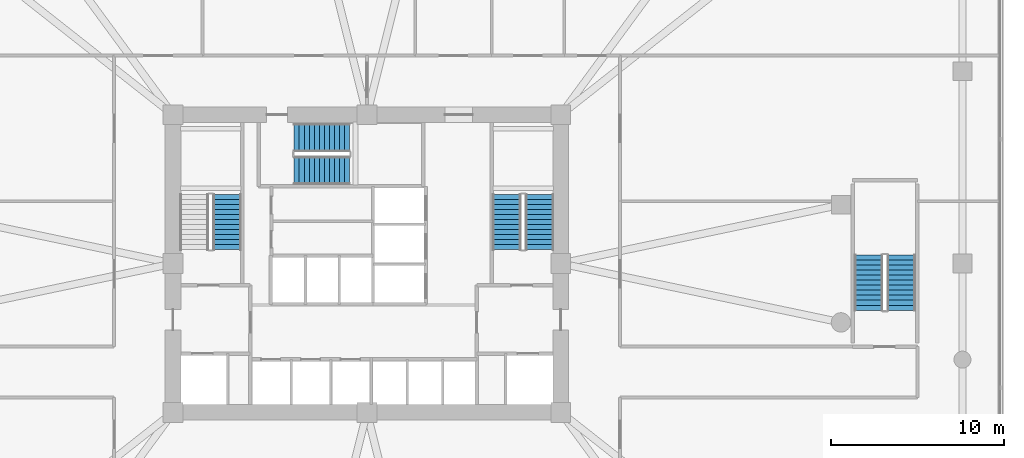
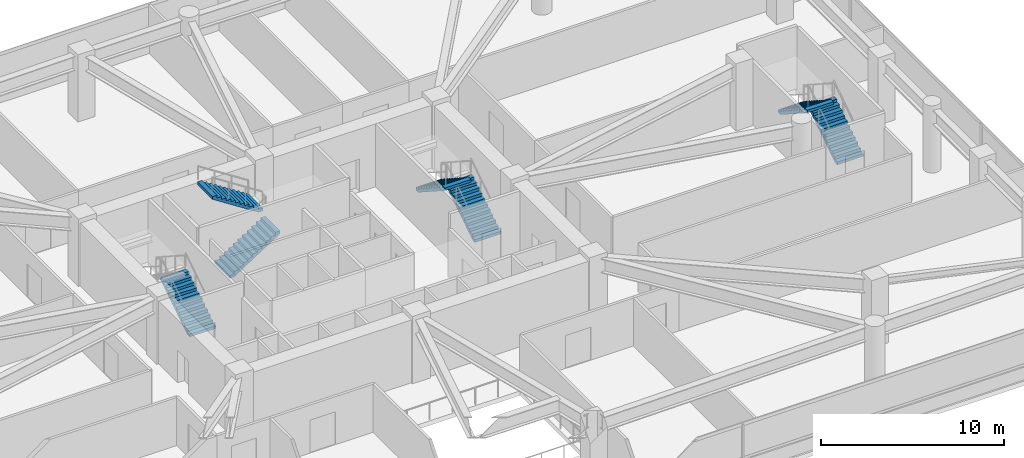
# One storey, part 19 of 21: 7 stair flights, 4 elements without a shape of their own.
"""IFC4 building model written with IfcOpenShell, lengths in metres."""

import ifcopenshell
import ifcopenshell.guid

model = None  # the IFC model being written
_history = None  # IfcOwnerHistory: only IFC2X3 demands one
_inside = {}  # id of a spatial element -> (the spatial element, [elements in it])
_under = {}  # id of a project, library or spatial element -> (it, [spatial elements below it])
_declared = {}  # id of a project -> (the project, [libraries it declares])
_typed = {}  # id of a type object -> (the type object, [elements of that type])
_made_of = {}  # id of a material, layer set ... -> (it, [elements and type objects made of it])


def new_model(schema):
    """Start an empty IFC model of exactly this schema.

    Asked for "IFC4X3", IfcOpenShell would pick the latest addendum, in which some entities
    have other attributes; the version numbers below select the first issue.
    IFC2X3 requires an IfcOwnerHistory on every rooted entity: one is made here for all.
    """
    global model, _history
    if schema == "IFC4X3":
        model = ifcopenshell.file(schema_version=(4, 3, 0, 0))
    else:
        model = ifcopenshell.file(schema=schema)
    _inside.clear()
    _under.clear()
    _declared.clear()
    _typed.clear()
    _made_of.clear()
    _history = None
    if model.schema == "IFC2X3":
        org = make("IfcOrganization", Name="unknown")
        user = make(
            "IfcPersonAndOrganization",
            ThePerson=make("IfcPerson", FamilyName="unknown"),
            TheOrganization=org,
        )
        app = make(
            "IfcApplication",
            ApplicationDeveloper=org,
            Version="unknown",
            ApplicationFullName="unknown",
            ApplicationIdentifier="unknown",
        )
        _history = make(
            "IfcOwnerHistory",
            OwningUser=user,
            OwningApplication=app,
            ChangeAction="ADDED",
            CreationDate=0,
        )
    return model


def make(cls, **values):
    """One entity of the class cls with the attributes given. An attribute that is None is left unset."""
    return model.create_entity(
        cls, **{name: value for name, value in values.items() if value is not None}
    )


def rooted(cls, **values):
    """An entity with a GlobalId (a new one), such as an element, a storey or a relation."""
    return make(cls, GlobalId=ifcopenshell.guid.new(), OwnerHistory=_history, **values)


def si_unit(unit_type, name, prefix=None):
    """IfcSIUnit, for example si_unit("LENGTHUNIT", "METRE", prefix="MILLI")."""
    return make("IfcSIUnit", UnitType=unit_type, Prefix=prefix, Name=name)


def derived_unit(unit_type, elements):
    """IfcDerivedUnit: a product of units, each with its exponent."""
    return make(
        "IfcDerivedUnit",
        Elements=[
            make("IfcDerivedUnitElement", Unit=unit, Exponent=power)
            for unit, power in elements
        ],
        UnitType=unit_type,
    )


def assignment(units):
    """IfcUnitAssignment: the units of a project."""
    return None if units is None else make("IfcUnitAssignment", Units=units)


def point(xyz):
    """IfcCartesianPoint."""
    return None if xyz is None else make("IfcCartesianPoint", Coordinates=xyz)


def direction(xyz):
    """IfcDirection."""
    return None if xyz is None else make("IfcDirection", DirectionRatios=xyz)


def frame(location, z_axis=None, x_axis=None):
    """IfcAxis2Placement3D, a coordinate frame: its origin and axes. An axis left out is left unset."""
    return make(
        "IfcAxis2Placement3D",
        Location=point(location),
        Axis=direction(z_axis),
        RefDirection=direction(x_axis),
    )


def origin():
    """The frame at (0, 0, 0) with its axes left unset."""
    return frame((0.0, 0.0, 0.0))


def place(relative_to, where):
    """IfcLocalPlacement: puts the frame where relative to a parent placement (None: the world)."""
    return make(
        "IfcLocalPlacement", PlacementRelTo=relative_to, RelativePlacement=where
    )


def context(
    kind, dimensions, precision=None, world=None, true_north=None, identifier=None
):
    """IfcGeometricRepresentationContext, for example the 3D "Model" context."""
    return make(
        "IfcGeometricRepresentationContext",
        ContextIdentifier=identifier,
        ContextType=kind,
        CoordinateSpaceDimension=dimensions,
        Precision=precision,
        WorldCoordinateSystem=world,
        TrueNorth=true_north,
    )


def subcontext(parent, identifier, kind, view, scale=None):
    """IfcGeometricRepresentationSubContext, for example "Body" below "Model"."""
    return make(
        "IfcGeometricRepresentationSubContext",
        ContextIdentifier=identifier,
        ContextType=kind,
        ParentContext=parent,
        TargetScale=scale,
        TargetView=view,
    )


def project(units=None, contexts=None):
    """IfcProject with its units and contexts."""
    return rooted(
        "IfcProject",
        Name="project",
        RepresentationContexts=contexts,
        UnitsInContext=assignment(units),
    )


def spatial(cls, under=None, at=None, **own):
    """A site, building, storey or space (cls), placed at a placement, below another one or the project."""
    s = rooted(cls, ObjectPlacement=at, **own)
    if under is not None:
        _under.setdefault(under.id(), (under, []))[1].append(s)
    return s


def polyline(points):
    """IfcPolyline through the points."""
    return make("IfcPolyline", Points=[point(p) for p in points])


def outline(outer, holes=None, kind="AREA"):
    """IfcArbitraryClosedProfileDef: a profile drawn as a closed curve; with holes, ...WithVoids."""
    if holes is None:
        return make("IfcArbitraryClosedProfileDef", ProfileType=kind, OuterCurve=outer)
    return make(
        "IfcArbitraryProfileDefWithVoids",
        ProfileType=kind,
        OuterCurve=outer,
        InnerCurves=holes,
    )


def extrude(swept, where, along, depth):
    """IfcExtrudedAreaSolid: the profile swept, set in the frame where, extruded along a direction by depth."""
    return make(
        "IfcExtrudedAreaSolid",
        SweptArea=swept,
        Position=where,
        ExtrudedDirection=direction(along),
        Depth=depth,
    )


def shape(context_of_items, identifier, shape_type, items):
    """IfcShapeRepresentation: the items that make up one representation, for example the "Body"."""
    return make(
        "IfcShapeRepresentation",
        ContextOfItems=context_of_items,
        RepresentationIdentifier=identifier,
        RepresentationType=shape_type,
        Items=items,
    )


def material(Name=None, Category=None):
    """IfcMaterial."""
    return make("IfcMaterial", Name=Name, Category=Category)


def made_of(thing, what):
    """Note that an element or type object is made of a material, layer set ...; save() writes the relation."""
    if what is not None:
        _made_of.setdefault(what.id(), (what, []))[1].append(thing)
    return thing


def type_object(cls, material=None, **own):
    """A type object (cls), such as IfcWallType, which elements share."""
    return made_of(rooted(cls, **own), material)


def element(
    cls,
    number,
    at=None,
    inside=None,
    cuts=None,
    type_object=None,
    material=None,
    context=None,
    identifier="Body",
    shape_type=None,
    held_by="IfcProductDefinitionShape",
    body=None,
    shapes=None,
    **own,
):
    """One element of the class cls, such as IfcWall. Its Tag is "e" and its number.

    at: its placement. inside: the storey or other place that contains it. cuts: it is an
    opening in that element (IfcRelVoidsElement). A single representation is given by context,
    identifier, shape_type and body (its items); several are given by shapes. held_by: the class
    of the entity that holds the representations. save() writes the other relations.
    """
    e = rooted(cls, Tag="e%d" % number, ObjectPlacement=at, **own)
    if body is not None:
        shapes = [shape(context, identifier, shape_type, body)]
    if shapes is not None:
        e.Representation = make(held_by, Representations=shapes)
    if inside is not None:
        _inside.setdefault(inside.id(), (inside, []))[1].append(e)
    if cuts is not None:
        rooted(
            "IfcRelVoidsElement", RelatingBuildingElement=cuts, RelatedOpeningElement=e
        )
    if type_object is not None:
        _typed.setdefault(type_object.id(), (type_object, []))[1].append(e)
    return made_of(e, material)


def aggregate(whole, parts):
    """IfcRelAggregates: a whole, such as a stair, and the parts it consists of."""
    return rooted("IfcRelAggregates", RelatingObject=whole, RelatedObjects=parts)


def save(model, path):
    """Write the relations noted so far, then the file.

    IfcRelAggregates (storeys below a building ...), IfcRelContainedInSpatialStructure (elements
    in a storey), IfcRelDefinesByType, IfcRelAssociatesMaterial and IfcRelDeclares: one each for
    every whole, place, type object, material and project.
    """
    for whole, parts in _under.values():
        aggregate(whole, parts)
    for where, things in _inside.values():
        rooted(
            "IfcRelContainedInSpatialStructure",
            RelatedElements=things,
            RelatingStructure=where,
        )
    for kind, things in _typed.values():
        rooted("IfcRelDefinesByType", RelatedObjects=things, RelatingType=kind)
    for what, things in _made_of.values():
        rooted("IfcRelAssociatesMaterial", RelatedObjects=things, RelatingMaterial=what)
    for by, libraries in _declared.values():
        rooted("IfcRelDeclares", RelatingContext=by, RelatedDefinitions=libraries)
    model.write(path)


model = new_model("IFC4")

# Units and contexts
model_context = context("Model", 3, precision=1e-05, world=origin(), true_north=direction((0.0, 1.0)))
body_context = subcontext(model_context, "Body", "Model", "MODEL_VIEW")
ifc_project = project(units=[si_unit("LENGTHUNIT", "METRE"), si_unit("AREAUNIT", "SQUARE_METRE"), si_unit("VOLUMEUNIT", "CUBIC_METRE"), si_unit("PLANEANGLEUNIT", "RADIAN"), si_unit("MASSUNIT", "GRAM", prefix="KILO"), derived_unit("THERMALTRANSMITTANCEUNIT", [(si_unit("POWERUNIT", "WATT"), 1), (si_unit("LENGTHUNIT", "METRE"), -2), (si_unit("THERMODYNAMICTEMPERATUREUNIT", "KELVIN"), -1)])], contexts=[model_context])

# Site, building, storey
site_placement = place(None, origin())
site = spatial("IfcSite", under=ifc_project, at=site_placement, CompositionType="ELEMENT")
building_placement = place(site_placement, origin())
building = spatial("IfcBuilding", under=site, at=building_placement, Name="Koralith Skygarden Medical Center", CompositionType="ELEMENT")
storey_placement = place(building_placement, frame((0.0, 0.0, 5.39990234375)))
storey = spatial("IfcBuildingStorey", under=building, at=storey_placement, Name="L01", CompositionType="ELEMENT", Elevation=5.39990234375)

# Stair, stair flight
ifc_material = material(Name="Concrete C45/55", Category="concrete")
stair_type = type_object("IfcStairType", Name="Core Exit Dogleg Concrete Stair", PredefinedType="HALF_TURN_STAIR", material=ifc_material)
stair_1_placement = place(storey_placement, origin())
stair_1 = element("IfcStair", 1, at=stair_1_placement, inside=storey, type_object=stair_type, Name="L01 Smokeproof Exit Stair ST1", PredefinedType="HALF_TURN_STAIR")
stair_flight_type = type_object("IfcStairFlightType", Name="Core Exit Concrete Stair Flight 1650", PredefinedType="STRAIGHT", material=ifc_material)
stair_flight_1_placement = place(storey_placement, frame((28.925048828125, 26.699951171875, 0.0), z_axis=(0.0, 0.0, 1.0), x_axis=(0.0, 1.0, 0.0)))
stair_flight_1 = element("IfcStairFlight", 2, at=stair_flight_1_placement, type_object=stair_flight_type, Name="ST1 flight 1", NumberOfRisers=12, NumberOfTreads=11, PredefinedType="STRAIGHT", RiserHeight=0.1875, TreadLength=0.29, context=body_context, shape_type="SweptSolid", body=[
    extrude(outline(polyline([(0.0, 0.0), (0.0, 0.1875), (0.2900390625, 0.1875), (0.2900390625, 0.375), (0.580078125, 0.375), (0.580078125, 0.5625), (0.8701171875, 0.5625), (0.8701171875, 0.75), (1.159912109375, 0.75), (1.159912109375, 0.9375), (1.449951171875, 0.9375), (1.449951171875, 1.125), (1.739990234375, 1.125), (1.739990234375, 1.3125), (2.030029296875, 1.3125), (2.030029296875, 1.5), (2.320068359375, 1.5), (2.320068359375, 1.6875), (2.610107421875, 1.6875), (2.610107421875, 1.875), (2.89990234375, 1.875), (2.89990234375, 2.0625), (3.18994140625, 2.0625), (3.18994140625, 2.25), (3.18994140625, 1.884033203125), (0.276123046875, 0.0), (0.0, 0.0)])), frame((0.0, 0.824951171875, 0.0), z_axis=(0.0, -1.0, 0.0), x_axis=(1.0, 0.0, 0.0)), (0.0, 0.0, 1.0), 1.64990234375),
])
aggregate(stair_1, [stair_flight_1])

# Stair, stair flights
stair_2_placement = place(storey_placement, origin())
stair_2 = element("IfcStair", 3, at=stair_2_placement, inside=storey, type_object=stair_type, Name="L01 Smokeproof Exit Stair ST2", PredefinedType="HALF_TURN_STAIR")
stair_flight_2_placement = place(storey_placement, frame((46.97509765625, 26.699951171875, 0.0), z_axis=(0.0, 0.0, 1.0), x_axis=(0.0, 1.0, 0.0)))
stair_flight_2 = element("IfcStairFlight", 4, at=stair_flight_2_placement, type_object=stair_flight_type, Name="ST2 flight 1", NumberOfRisers=12, NumberOfTreads=11, PredefinedType="STRAIGHT", RiserHeight=0.1875, TreadLength=0.29, context=body_context, shape_type="SweptSolid", body=[
    extrude(outline(polyline([(0.0, 0.0), (0.0, 0.1875), (0.2900390625, 0.1875), (0.2900390625, 0.375), (0.580078125, 0.375), (0.580078125, 0.5625), (0.8701171875, 0.5625), (0.8701171875, 0.75), (1.159912109375, 0.75), (1.159912109375, 0.9375), (1.449951171875, 0.9375), (1.449951171875, 1.125), (1.739990234375, 1.125), (1.739990234375, 1.3125), (2.030029296875, 1.3125), (2.030029296875, 1.5), (2.320068359375, 1.5), (2.320068359375, 1.6875), (2.610107421875, 1.6875), (2.610107421875, 1.875), (2.89990234375, 1.875), (2.89990234375, 2.0625), (3.18994140625, 2.0625), (3.18994140625, 2.25), (3.18994140625, 1.884033203125), (0.276123046875, 0.0), (0.0, 0.0)])), frame((0.0, 0.824951171875, 0.0), z_axis=(0.0, -1.0, 0.0), x_axis=(1.0, 0.0, 0.0)), (0.0, 0.0, 1.0), 1.64990234375),
])
stair_flight_3_placement = place(storey_placement, frame((45.074951171875, 29.889892578125, 2.25), z_axis=(0.0, 0.0, 1.0), x_axis=(0.0, -1.0, 0.0)))
stair_flight_3 = element("IfcStairFlight", 5, at=stair_flight_3_placement, type_object=stair_flight_type, Name="ST2 flight 2", NumberOfRisers=12, NumberOfTreads=11, PredefinedType="STRAIGHT", RiserHeight=0.1875, TreadLength=0.29, context=body_context, shape_type="SweptSolid", body=[
    extrude(outline(polyline([(0.0, 0.0), (0.0, 0.1875), (0.2900390625, 0.1875), (0.2900390625, 0.375), (0.580078125, 0.375), (0.580078125, 0.5625), (0.8701171875, 0.5625), (0.8701171875, 0.75), (1.159912109375, 0.75), (1.159912109375, 0.9375), (1.449951171875, 0.9375), (1.449951171875, 1.125), (1.739990234375, 1.125), (1.739990234375, 1.3125), (2.030029296875, 1.3125), (2.030029296875, 1.5), (2.320068359375, 1.5), (2.320068359375, 1.6875), (2.610107421875, 1.6875), (2.610107421875, 1.875), (2.89990234375, 1.875), (2.89990234375, 2.0625), (3.18994140625, 2.0625), (3.18994140625, 2.25), (3.18994140625, 1.884033203125), (0.276123046875, 0.0), (0.0, 0.0)])), frame((0.0, 0.824951171875, 0.0), z_axis=(0.0, -1.0, 0.0), x_axis=(1.0, 0.0, 0.0)), (0.0, 0.0, 1.0), 1.64990234375),
])
aggregate(stair_2, [stair_flight_2, stair_flight_3])

stair_3_placement = place(storey_placement, origin())
stair_3 = element("IfcStair", 6, at=stair_3_placement, inside=storey, type_object=stair_type, Name="L01 Smokeproof Exit Stair ST3", PredefinedType="HALF_TURN_STAIR")
stair_flight_4_placement = place(storey_placement, frame((32.800048828125, 31.27490234375, 0.0), z_axis=(0.0, 0.0, 1.0), x_axis=(1.0, 0.0, 0.0)))
stair_flight_4 = element("IfcStairFlight", 7, at=stair_flight_4_placement, type_object=stair_flight_type, Name="ST3 flight 1", NumberOfRisers=12, NumberOfTreads=11, PredefinedType="STRAIGHT", RiserHeight=0.1875, TreadLength=0.29, context=body_context, shape_type="SweptSolid", body=[
    extrude(outline(polyline([(0.0, 0.0), (0.0, 0.1875), (0.2900390625, 0.1875), (0.2900390625, 0.375), (0.580078125, 0.375), (0.580078125, 0.5625), (0.8701171875, 0.5625), (0.8701171875, 0.75), (1.159912109375, 0.75), (1.159912109375, 0.9375), (1.449951171875, 0.9375), (1.449951171875, 1.125), (1.739990234375, 1.125), (1.739990234375, 1.3125), (2.030029296875, 1.3125), (2.030029296875, 1.5), (2.320068359375, 1.5), (2.320068359375, 1.6875), (2.610107421875, 1.6875), (2.610107421875, 1.875), (2.89990234375, 1.875), (2.89990234375, 2.0625), (3.18994140625, 2.0625), (3.18994140625, 2.25), (3.18994140625, 1.884033203125), (0.276123046875, 0.0), (0.0, 0.0)])), frame((0.0, 0.824951171875, 0.0), z_axis=(0.0, -1.0, 0.0), x_axis=(1.0, 0.0, 0.0)), (0.0, 0.0, 1.0), 1.64990234375),
])
stair_flight_5_placement = place(storey_placement, frame((35.989990234375, 33.175048828125, 2.25), z_axis=(0.0, 0.0, 1.0), x_axis=(-1.0, 0.0, 0.0)))
stair_flight_5 = element("IfcStairFlight", 8, at=stair_flight_5_placement, type_object=stair_flight_type, Name="ST3 flight 2", NumberOfRisers=12, NumberOfTreads=11, PredefinedType="STRAIGHT", RiserHeight=0.1875, TreadLength=0.29, context=body_context, shape_type="SweptSolid", body=[
    extrude(outline(polyline([(0.0, 0.0), (0.0, 0.1875), (0.2900390625, 0.1875), (0.2900390625, 0.375), (0.580078125, 0.375), (0.580078125, 0.5625), (0.8701171875, 0.5625), (0.8701171875, 0.75), (1.159912109375, 0.75), (1.159912109375, 0.9375), (1.449951171875, 0.9375), (1.449951171875, 1.125), (1.739990234375, 1.125), (1.739990234375, 1.3125), (2.030029296875, 1.3125), (2.030029296875, 1.5), (2.320068359375, 1.5), (2.320068359375, 1.6875), (2.610107421875, 1.6875), (2.610107421875, 1.875), (2.89990234375, 1.875), (2.89990234375, 2.0625), (3.18994140625, 2.0625), (3.18994140625, 2.25), (3.18994140625, 1.884033203125), (0.276123046875, 0.0), (0.0, 0.0)])), frame((0.0, 0.824951171875, 0.0), z_axis=(0.0, -1.0, 0.0), x_axis=(1.0, 0.0, 0.0)), (0.0, 0.0, 1.0), 1.64990234375),
])
aggregate(stair_3, [stair_flight_4, stair_flight_5])

stair_4_placement = place(storey_placement, origin())
stair_4 = element("IfcStair", 9, at=stair_4_placement, inside=storey, type_object=stair_type, Name="L01 Podium Smokeproof Exit Stair ST5", PredefinedType="HALF_TURN_STAIR")
stair_flight_6_placement = place(storey_placement, frame((67.875, 23.199951171875, 0.0), z_axis=(0.0, 0.0, 1.0), x_axis=(0.0, 1.0, 0.0)))
stair_flight_6 = element("IfcStairFlight", 10, at=stair_flight_6_placement, type_object=stair_flight_type, Name="ST5 flight 1", NumberOfRisers=12, NumberOfTreads=11, PredefinedType="STRAIGHT", RiserHeight=0.1875, TreadLength=0.29, context=body_context, shape_type="SweptSolid", body=[
    extrude(outline(polyline([(0.0, 0.0), (0.0, 0.1875), (0.2900390625, 0.1875), (0.2900390625, 0.375), (0.580078125, 0.375), (0.580078125, 0.5625), (0.8701171875, 0.5625), (0.8701171875, 0.75), (1.159912109375, 0.75), (1.159912109375, 0.9375), (1.449951171875, 0.9375), (1.449951171875, 1.125), (1.739990234375, 1.125), (1.739990234375, 1.3125), (2.030029296875, 1.3125), (2.030029296875, 1.5), (2.320068359375, 1.5), (2.320068359375, 1.6875), (2.610107421875, 1.6875), (2.610107421875, 1.875), (2.89990234375, 1.875), (2.89990234375, 2.0625), (3.18994140625, 2.0625), (3.18994140625, 2.25), (3.18994140625, 1.884033203125), (0.276123046875, 0.0), (0.0, 0.0)])), frame((0.0, 0.824951171875, 0.0), z_axis=(0.0, -1.0, 0.0), x_axis=(1.0, 0.0, 0.0)), (0.0, 0.0, 1.0), 1.64990234375),
])
stair_flight_7_placement = place(storey_placement, frame((65.97509765625, 26.389892578125, 2.25), z_axis=(0.0, 0.0, 1.0), x_axis=(0.0, -1.0, 0.0)))
stair_flight_7 = element("IfcStairFlight", 11, at=stair_flight_7_placement, type_object=stair_flight_type, Name="ST5 flight 2", NumberOfRisers=12, NumberOfTreads=11, PredefinedType="STRAIGHT", RiserHeight=0.1875, TreadLength=0.29, context=body_context, shape_type="SweptSolid", body=[
    extrude(outline(polyline([(0.0, 0.0), (0.0, 0.1875), (0.2900390625, 0.1875), (0.2900390625, 0.375), (0.580078125, 0.375), (0.580078125, 0.5625), (0.8701171875, 0.5625), (0.8701171875, 0.75), (1.159912109375, 0.75), (1.159912109375, 0.9375), (1.449951171875, 0.9375), (1.449951171875, 1.125), (1.739990234375, 1.125), (1.739990234375, 1.3125), (2.030029296875, 1.3125), (2.030029296875, 1.5), (2.320068359375, 1.5), (2.320068359375, 1.6875), (2.610107421875, 1.6875), (2.610107421875, 1.875), (2.89990234375, 1.875), (2.89990234375, 2.0625), (3.18994140625, 2.0625), (3.18994140625, 2.25), (3.18994140625, 1.884033203125), (0.276123046875, 0.0), (0.0, 0.0)])), frame((0.0, 0.824951171875, 0.0), z_axis=(0.0, -1.0, 0.0), x_axis=(1.0, 0.0, 0.0)), (0.0, 0.0, 1.0), 1.64990234375),
])
aggregate(stair_4, [stair_flight_6, stair_flight_7])

save(model, "model.ifc")
